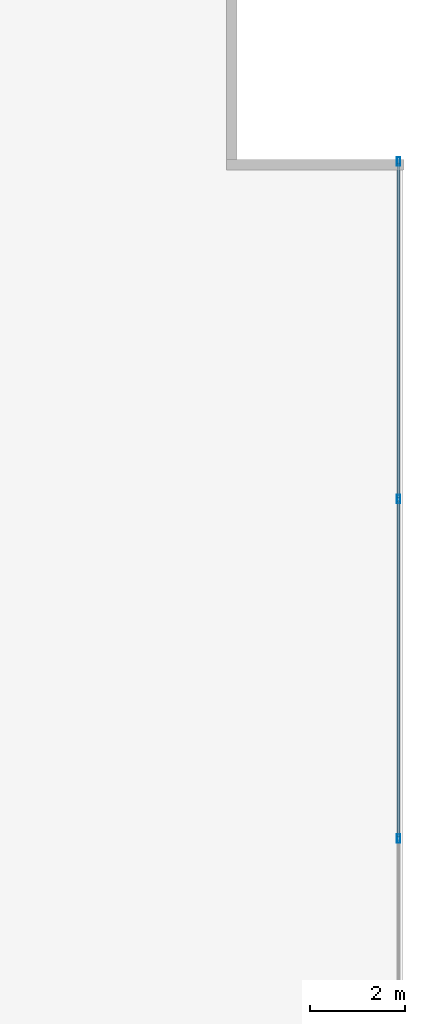
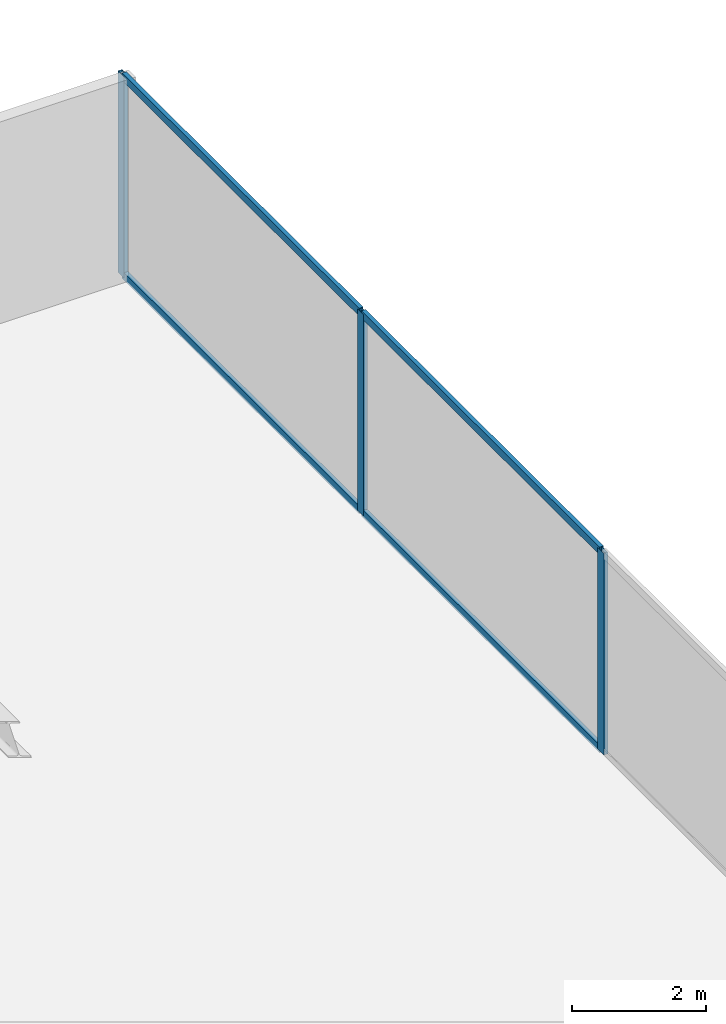
# One storey, part 22 of 28: 7 members, 1 element without a shape of its own.
"""IFC4 building model written with IfcOpenShell, lengths in metres."""

from ifc_helpers import new_model, si_unit, direction, frame, origin, origin_2d, place, context, subcontext, project, spatial, hollow_rectangle, extrude, source, transform, mapped, material, material_profile, profile_set, type_object, type_shapes, element, aggregate, save


model = new_model("IFC4")

# Units and contexts
model_context = context("Model", 3, precision=1e-05, world=origin(), true_north=direction((0.0, 1.0)))
body_context = subcontext(model_context, "Body", "Model", "MODEL_VIEW")
ifc_project = project(units=[si_unit("LENGTHUNIT", "METRE"), si_unit("AREAUNIT", "SQUARE_METRE"), si_unit("VOLUMEUNIT", "CUBIC_METRE"), si_unit("PLANEANGLEUNIT", "RADIAN"), si_unit("MASSUNIT", "GRAM", prefix="KILO")], contexts=[model_context])

# Site, building, storey
site_placement = place(None, origin())
site = spatial("IfcSite", under=ifc_project, at=site_placement, CompositionType="ELEMENT")
building_placement = place(site_placement, origin())
building = spatial("IfcBuilding", under=site, at=building_placement, Name="Krantzveldt Concourse Tower", CompositionType="ELEMENT")
storey_placement = place(building_placement, frame((0.0, 0.0, 32.89990234375)))
storey = spatial("IfcBuildingStorey", under=building, at=storey_placement, Name="L07", CompositionType="ELEMENT", Elevation=32.89990234375)

# Curtain wall, members
ifc_material = material(Name="Anodised aluminium 6063-T6", Category="aluminium")
curtain_wall_type = type_object("IfcCurtainWallType", Name="CW2", PredefinedType="USERDEFINED", material=ifc_material)
curtain_wall_placement = place(storey_placement, origin())
curtain_wall = element("IfcCurtainWall", 1, at=curtain_wall_placement, inside=storey, type_object=curtain_wall_type, Name="CW-L07-F07", ObjectType="UNITISED CURTAIN WALL", PredefinedType="USERDEFINED")
ifc_material_profile_1 = material_profile(ifc_material, hollow_rectangle(XDim=0.070068359375, YDim=0.139892578125, WallThickness=0.0048828125, at=origin_2d()), Name="Anodised aluminium 6063-T6", Category="aluminium")
ifc_profile_set_1 = profile_set([ifc_material_profile_1], Name="Anodised aluminium 6063-T6 - ALU-TRAN 140x70x5")
member_type_1 = type_object("IfcMemberType", Name="CW-TRN-150", PredefinedType="USERDEFINED", material=ifc_profile_set_1)
shared_shape_1 = source(origin(), body_context, "Body", "SweptSolid", [
    extrude(hollow_rectangle(XDim=0.070068359375, YDim=0.139892578125, WallThickness=0.0048828125, at=origin_2d()), origin(), (0.0, 0.0, 1.0), 7.0615234375),
])
member_1_placement = place(storey_placement, frame((60.909912109375, 41.068359375, 0.03515625), z_axis=(0.0, 1.0, 0.0), x_axis=(-1.0, 0.0, 0.0)))
member_1 = element("IfcMember", 2, at=member_1_placement, type_object=member_type_1, Name="CW-Z12 transom 6.1", ObjectType="TRANSOM", PredefinedType="USERDEFINED", context=body_context, shape_type="MappedRepresentation", body=[
    mapped(shared_shape_1, transform((0.0, 0.0, 0.0), x_axis=(1.0, 0.0, 0.0), y_axis=(0.0, 1.0, 0.0), z_axis=(0.0, 0.0, 1.0), scale=1.0)),
])
member_2_placement = place(storey_placement, frame((60.909912109375, 41.068359375, 3.635009765625), z_axis=(0.0, 1.0, 0.0), x_axis=(-1.0, 0.0, 0.0)))
member_2 = element("IfcMember", 3, at=member_2_placement, type_object=member_type_1, Name="CW-Z12 transom 6.2", ObjectType="TRANSOM", PredefinedType="USERDEFINED", context=body_context, shape_type="MappedRepresentation", body=[
    mapped(shared_shape_1, transform((0.0, 0.0, 0.0), x_axis=(1.0, 0.0, 0.0), y_axis=(0.0, 1.0, 0.0), z_axis=(0.0, 0.0, 1.0), scale=1.0)),
])
shared_shape_2 = source(origin(), body_context, "Body", "SweptSolid", [
    extrude(hollow_rectangle(XDim=0.070068359375, YDim=0.139892578125, WallThickness=0.0048828125, at=origin_2d()), origin(), (0.0, 0.0, 1.0), 7.0966796875),
])
type_shapes(member_type_1, [shared_shape_1, shared_shape_2])
member_3_placement = place(storey_placement, frame((60.909912109375, 33.901611328125, 0.03515625), z_axis=(0.0, 1.0, 0.0), x_axis=(-1.0, 0.0, 0.0)))
member_3 = element("IfcMember", 4, at=member_3_placement, type_object=member_type_1, Name="CW-Z12 transom 5.1", ObjectType="TRANSOM", PredefinedType="USERDEFINED", context=body_context, shape_type="MappedRepresentation", body=[
    mapped(shared_shape_2, transform((0.0, 0.0, 0.0), x_axis=(1.0, 0.0, 0.0), y_axis=(0.0, 1.0, 0.0), z_axis=(0.0, 0.0, 1.0), scale=1.0)),
])
member_4_placement = place(storey_placement, frame((60.909912109375, 33.901611328125, 3.635009765625), z_axis=(0.0, 1.0, 0.0), x_axis=(-1.0, 0.0, 0.0)))
member_4 = element("IfcMember", 5, at=member_4_placement, type_object=member_type_1, Name="CW-Z12 transom 5.2", ObjectType="TRANSOM", PredefinedType="USERDEFINED", context=body_context, shape_type="MappedRepresentation", body=[
    mapped(shared_shape_2, transform((0.0, 0.0, 0.0), x_axis=(1.0, 0.0, 0.0), y_axis=(0.0, 1.0, 0.0), z_axis=(0.0, 0.0, 1.0), scale=1.0)),
])
ifc_material_profile_2 = material_profile(ifc_material, hollow_rectangle(XDim=0.070068359375, YDim=0.179931640625, WallThickness=0.0048828125, at=origin_2d()), Name="Anodised aluminium 6063-T6", Category="aluminium")
ifc_profile_set_2 = profile_set([ifc_material_profile_2], Name="Anodised aluminium 6063-T6 - ALU-MULL 180x70x5")
member_type_2 = type_object("IfcMemberType", Name="CW-MUL-180", PredefinedType="MULLION", material=ifc_profile_set_2)
shared_shape_3 = source(origin(), body_context, "Body", "SweptSolid", [
    extrude(hollow_rectangle(XDim=0.070068359375, YDim=0.179931640625, WallThickness=0.0048828125, at=origin_2d()), origin(), (0.0, 0.0, 1.0), 3.670166015625),
])
type_shapes(member_type_2, [shared_shape_3])
member_5_placement = place(storey_placement, frame((60.909912109375, 33.86669921875, 0.0), z_axis=(0.0, 0.0, 1.0), x_axis=(-1.0, 0.0, 0.0)))
member_5 = element("IfcMember", 6, at=member_5_placement, type_object=member_type_2, Name="CW-Z12 mullion 5", PredefinedType="MULLION", context=body_context, shape_type="MappedRepresentation", body=[
    mapped(shared_shape_3, transform((0.0, 0.0, 0.0), x_axis=(1.0, 0.0, 0.0), y_axis=(0.0, 1.0, 0.0), z_axis=(0.0, 0.0, 1.0), scale=1.0)),
])
member_6_placement = place(storey_placement, frame((60.909912109375, 41.033447265625, 0.0), z_axis=(0.0, 0.0, 1.0), x_axis=(-1.0, 0.0, 0.0)))
member_6 = element("IfcMember", 7, at=member_6_placement, type_object=member_type_2, Name="CW-Z12 mullion 6", PredefinedType="MULLION", context=body_context, shape_type="MappedRepresentation", body=[
    mapped(shared_shape_3, transform((0.0, 0.0, 0.0), x_axis=(1.0, 0.0, 0.0), y_axis=(0.0, 1.0, 0.0), z_axis=(0.0, 0.0, 1.0), scale=1.0)),
])
member_7_placement = place(storey_placement, frame((60.909912109375, 48.1650390625, 0.0), z_axis=(0.0, 0.0, 1.0), x_axis=(-1.0, 0.0, 0.0)))
member_7 = element("IfcMember", 8, at=member_7_placement, type_object=member_type_2, Name="CW-Z12 mullion 7", PredefinedType="MULLION", context=body_context, shape_type="MappedRepresentation", body=[
    mapped(shared_shape_3, transform((0.0, 0.0, 0.0), x_axis=(1.0, 0.0, 0.0), y_axis=(0.0, 1.0, 0.0), z_axis=(0.0, 0.0, 1.0), scale=1.0)),
])
aggregate(curtain_wall, [member_5, member_6, member_7, member_3, member_4, member_1, member_2])

save(model, "model.ifc")
